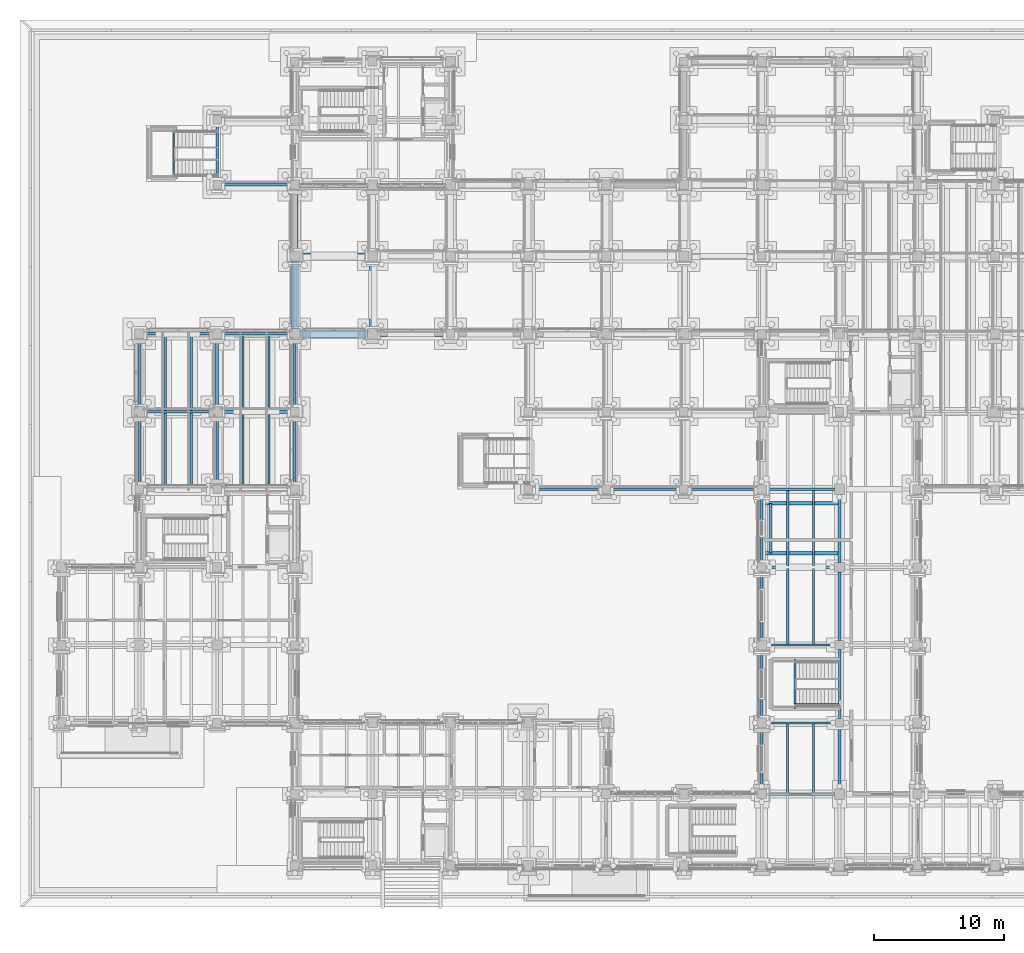
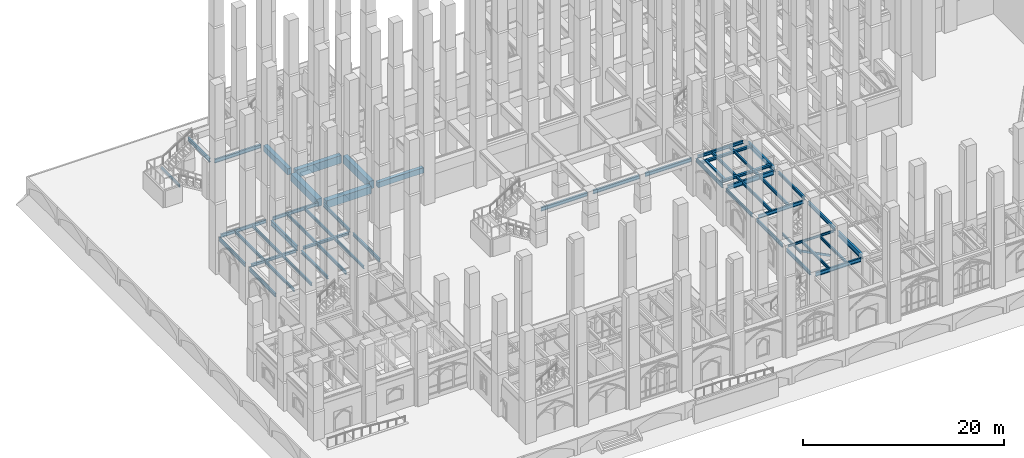
# One storey, part 30 of 135: 53 beams, 1 member.
"""IFC4 building model written with IfcOpenShell, lengths in metres."""

from ifc_helpers import new_model, si_unit, direction, frame, origin, origin_2d, place, context, subcontext, project, spatial, rectangle, hollow_rectangle, i_section, extrude, material, material_profile, profile_set, type_object, element, save


model = new_model("IFC4")

# Units and contexts
model_context = context("Model", 3, precision=1e-05, world=origin(), true_north=direction((0.0, 1.0)))
body_context = subcontext(model_context, "Body", "Model", "MODEL_VIEW")
ifc_project = project(units=[si_unit("LENGTHUNIT", "METRE"), si_unit("AREAUNIT", "SQUARE_METRE"), si_unit("VOLUMEUNIT", "CUBIC_METRE"), si_unit("PLANEANGLEUNIT", "RADIAN"), si_unit("MASSUNIT", "GRAM", prefix="KILO")], contexts=[model_context])

# Site, building, storey
site_placement = place(None, origin())
site = spatial("IfcSite", under=ifc_project, at=site_placement, CompositionType="ELEMENT")
building_placement = place(site_placement, origin())
building = spatial("IfcBuilding", under=site, at=building_placement, Name="Cumevento Cable Car Station", CompositionType="ELEMENT")
storey_placement = place(building_placement, origin())
storey = spatial("IfcBuildingStorey", under=building, at=storey_placement, Name="L01", CompositionType="ELEMENT", Elevation=0.0)

# Member
ifc_material_1 = material(Name="Steel ASTM A572 Grade 50", Category="steel")
ifc_material_profile_1 = material_profile(ifc_material_1, hollow_rectangle(XDim=0.14990234375, YDim=0.25, WallThickness=0.010009765625, at=origin_2d()), Name="HSS250x150x10.0")
ifc_profile_set_1 = profile_set([ifc_material_profile_1], Name="Steel ASTM A572 Grade 50")
member_type = type_object("IfcMemberType", Name="Framing Stringer SR-01 HSS250x150x10.0", PredefinedType="STRINGER", material=ifc_profile_set_1)
member_placement = place(storey_placement, frame((64.0400390625, 16.419921875, 0.139892578125), z_axis=(-0.889557422333, 0.0, 0.456823371087), x_axis=(0.0, -1.0, 0.0)))
element("IfcMember", 1, at=member_placement, inside=storey, type_object=member_type, Name="Stair Steel Stringer ST-09 #447", PredefinedType="STRINGER", context=body_context, shape_type="SweptSolid", body=[
    extrude(hollow_rectangle(XDim=0.14990234375, YDim=0.25, WallThickness=0.010009765625, at=origin_2d()), origin(), (0.0, 0.0, 1.0), 3.912109375),
])

# Beams
ifc_material_2 = material(Name="Steel ASTM A572 Grade 50", Category="steel")
ifc_material_profile_2 = material_profile(ifc_material_2, i_section(OverallWidth=0.22802734375, OverallDepth=0.60791015625, WebThickness=0.01123046875, FlangeThickness=0.017333984375, at=origin_2d()), Name="W610x113.0")
ifc_profile_set_2 = profile_set([ifc_material_profile_2], Name="Steel ASTM A572 Grade 50")
beam_type_1 = type_object("IfcBeamType", Name="Structural Beam BM-02 W610x113.0", PredefinedType="BEAM", material=ifc_profile_set_2)
beam_1_placement = place(storey_placement, frame((64.0, 9.89990234375, 3.947998046875), z_axis=(0.0, 1.0, 0.0), x_axis=(-1.0, 0.0, 0.0)))
element("IfcBeam", 2, at=beam_1_placement, inside=storey, type_object=beam_type_1, Name="Beam BM-02 L01 #67", PredefinedType="BEAM", context=body_context, shape_type="SweptSolid", body=[
    extrude(i_section(OverallWidth=0.22802734375, OverallDepth=0.60791015625, WebThickness=0.01123046875, FlangeThickness=0.017333984375, at=origin_2d()), origin(), (0.0, 0.0, 1.0), 4.775146484375),
])
for number, where, z_axis, x_axis, name in (
    (3, (64.0, 27.375, 3.947998046875), (0.0, 1.0, 0.0), (-1.0, 0.0, 0.0), "Beam BM-02 L01 #70"),
    (4, (16.0, 39.39990234375, 3.865966796875), (0.0, 1.0, 0.0), (-1.0, 0.0, 0.0), "Beam BM-02 L01 #121"),
):
    element("IfcBeam", number, at=place(storey_placement, frame(where, z_axis=z_axis, x_axis=x_axis)), inside=storey, type_object=beam_type_1, Name=name, PredefinedType="BEAM", context=body_context, shape_type="SweptSolid", body=[
        extrude(i_section(OverallWidth=0.22802734375, OverallDepth=0.60791015625, WebThickness=0.01123046875, FlangeThickness=0.017333984375, at=origin_2d()), origin(), (0.0, 0.0, 1.0), 5.22509765625),
    ])
ifc_material_3 = material(Name="Steel ASTM A572 Grade 50", Category="steel")
ifc_material_profile_3 = material_profile(ifc_material_3, i_section(OverallWidth=0.18994140625, OverallDepth=0.45703125, WebThickness=0.009033203125, FlangeThickness=0.014404296875, at=origin_2d()), Name="W460x74.0")
ifc_profile_set_3 = profile_set([ifc_material_profile_3], Name="Steel ASTM A572 Grade 50")
beam_type_2 = type_object("IfcBeamType", Name="Structural Beam BM-04 W460x74.0", PredefinedType="BEAM", material=ifc_profile_set_3)
beam_2_placement = place(storey_placement, frame((64.0, 15.324951171875, 4.0234375), z_axis=(0.0, 1.0, 0.0), x_axis=(-1.0, 0.0, 0.0)))
element("IfcBeam", 5, at=beam_2_placement, inside=storey, type_object=beam_type_2, Name="Beam BM-04 L01 #68", PredefinedType="BEAM", context=body_context, shape_type="SweptSolid", body=[
    extrude(i_section(OverallWidth=0.18994140625, OverallDepth=0.45703125, WebThickness=0.009033203125, FlangeThickness=0.014404296875, at=origin_2d()), origin(), (0.0, 0.0, 1.0), 5.324951171875),
])
for number, where, z_axis, x_axis, name in (
    (6, (40.324951171875, 33.0, 4.021484375), (1.0, 0.0, 0.0), (0.0, 1.0, 0.0), "Terrace Girder BM-04 #1"),
    (7, (46.324951171875, 33.0, 4.021484375), (1.0, 0.0, 0.0), (0.0, 1.0, 0.0), "Terrace Girder BM-04 #2"),
):
    element("IfcBeam", number, at=place(storey_placement, frame(where, z_axis=z_axis, x_axis=x_axis)), inside=storey, type_object=beam_type_2, Name=name, PredefinedType="BEAM", context=body_context, shape_type="SweptSolid", body=[
        extrude(i_section(OverallWidth=0.18994140625, OverallDepth=0.45703125, WebThickness=0.009033203125, FlangeThickness=0.014404296875, at=origin_2d()), origin(), (0.0, 0.0, 1.0), 5.35009765625),
    ])
for number, where, z_axis, x_axis, name in (
    (8, (52.324951171875, 33.0, 4.021484375), (1.0, 0.0, 0.0), (0.0, 1.0, 0.0), "Terrace Girder BM-04 #3"),
    (9, (16.324951171875, 56.5, 4.021484375), (1.0, 0.0, 0.0), (0.0, 1.0, 0.0), "Terrace Girder BM-04 #17"),
):
    element("IfcBeam", number, at=place(storey_placement, frame(where, z_axis=z_axis, x_axis=x_axis)), inside=storey, type_object=beam_type_2, Name=name, PredefinedType="BEAM", context=body_context, shape_type="SweptSolid", body=[
        extrude(i_section(OverallWidth=0.18994140625, OverallDepth=0.45703125, WebThickness=0.009033203125, FlangeThickness=0.014404296875, at=origin_2d()), origin(), (0.0, 0.0, 1.0), 5.324951171875),
    ])
beam_3_placement = place(storey_placement, frame((16.0, 56.824951171875, 4.021484375), z_axis=(0.0, 1.0, 0.0), x_axis=(-1.0, 0.0, 0.0)))
element("IfcBeam", 10, at=beam_3_placement, inside=storey, type_object=beam_type_2, Name="Terrace Cross-Girder BM-04 #19", PredefinedType="BEAM", context=body_context, shape_type="SweptSolid", body=[
    extrude(i_section(OverallWidth=0.18994140625, OverallDepth=0.45703125, WebThickness=0.009033203125, FlangeThickness=0.014404296875, at=origin_2d()), origin(), (0.0, 0.0, 1.0), 4.35009765625),
])
ifc_material_4 = material(Name="Steel ASTM A572 Grade 50", Category="steel")
ifc_material_profile_4 = material_profile(ifc_material_4, i_section(OverallWidth=0.205078125, OverallDepth=0.35400390625, WebThickness=0.009521484375, FlangeThickness=0.016845703125, at=origin_2d()), Name="W360x79.0")
ifc_profile_set_4 = profile_set([ifc_material_profile_4], Name="Steel ASTM A572 Grade 50")
beam_type_3 = type_object("IfcBeamType", Name="Structural Beam BM-05 W360x79.0", PredefinedType="BEAM", material=ifc_profile_set_4)
beam_4_placement = place(storey_placement, frame((58.35009765625, 33.0, 4.072998046875), z_axis=(1.0, 0.0, 0.0), x_axis=(0.0, 1.0, 0.0)))
element("IfcBeam", 11, at=beam_4_placement, inside=storey, type_object=beam_type_3, Name="Beam BM-05 L01 #58", PredefinedType="BEAM", context=body_context, shape_type="SweptSolid", body=[
    extrude(i_section(OverallWidth=0.205078125, OverallDepth=0.35400390625, WebThickness=0.009521484375, FlangeThickness=0.016845703125, at=origin_2d()), origin(), (0.0, 0.0, 1.0), 5.25),
])
beam_5_placement = place(storey_placement, frame((64.0, 21.35009765625, 4.074951171875), z_axis=(0.0, 1.0, 0.0), x_axis=(-1.0, 0.0, 0.0)))
element("IfcBeam", 12, at=beam_5_placement, inside=storey, type_object=beam_type_3, Name="Beam BM-05 L01 #69", PredefinedType="BEAM", context=body_context, shape_type="SweptSolid", body=[
    extrude(i_section(OverallWidth=0.205078125, OverallDepth=0.35400390625, WebThickness=0.009521484375, FlangeThickness=0.016845703125, at=origin_2d()), origin(), (0.0, 0.0, 1.0), 5.27490234375),
])
beam_6_placement = place(storey_placement, frame((10.39990234375, 39.0, 3.992919921875), z_axis=(1.0, 0.0, 0.0), x_axis=(0.0, 1.0, 0.0)))
element("IfcBeam", 13, at=beam_6_placement, inside=storey, type_object=beam_type_3, Name="Beam BM-05 L01 #114", PredefinedType="BEAM", context=body_context, shape_type="SweptSolid", body=[
    extrude(i_section(OverallWidth=0.205078125, OverallDepth=0.35400390625, WebThickness=0.009521484375, FlangeThickness=0.016845703125, at=origin_2d()), origin(), (0.0, 0.0, 1.0), 5.2001953125),
])
beam_7_placement = place(storey_placement, frame((16.0, 33.324951171875, 3.992919921875), z_axis=(0.0, 1.0, 0.0), x_axis=(-1.0, 0.0, 0.0)))
element("IfcBeam", 14, at=beam_7_placement, inside=storey, type_object=beam_type_3, Name="Beam BM-05 L01 #120", PredefinedType="BEAM", context=body_context, shape_type="SweptSolid", body=[
    extrude(i_section(OverallWidth=0.205078125, OverallDepth=0.35400390625, WebThickness=0.009521484375, FlangeThickness=0.016845703125, at=origin_2d()), origin(), (0.0, 0.0, 1.0), 5.275146484375),
])
ifc_material_5 = material(Name="Steel ASTM A572 Grade 50", Category="steel")
ifc_material_profile_5 = material_profile(ifc_material_5, i_section(OverallWidth=0.25390625, OverallDepth=0.305908203125, WebThickness=0.0087890625, FlangeThickness=0.0146484375, at=origin_2d()), Name="W310x79.0")
ifc_profile_set_5 = profile_set([ifc_material_profile_5], Name="Steel ASTM A572 Grade 50")
beam_type_4 = type_object("IfcBeamType", Name="Structural Beam BM-06 W310x79.0", PredefinedType="BEAM", material=ifc_profile_set_5)
beam_8_placement = place(storey_placement, frame((16.39990234375, 39.0, 4.01708984375), z_axis=(1.0, 0.0, 0.0), x_axis=(0.0, 1.0, 0.0)))
element("IfcBeam", 15, at=beam_8_placement, inside=storey, type_object=beam_type_4, Name="Beam BM-06 L01 #115", PredefinedType="BEAM", context=body_context, shape_type="SweptSolid", body=[
    extrude(i_section(OverallWidth=0.25390625, OverallDepth=0.305908203125, WebThickness=0.0087890625, FlangeThickness=0.0146484375, at=origin_2d()), origin(), (0.0, 0.0, 1.0), 5.275146484375),
])
for number, where, z_axis, x_axis, name in (
    (16, (58.050048828125, 28.076904296875, 4.09912109375), (1.0, 0.0, 0.0), (0.0, 1.0, 0.0), "Stairwell Curb Girder ST-10 #29"),
    (17, (58.050048828125, 31.923095703125, 4.09912109375), (1.0, 0.0, 0.0), (0.0, 1.0, 0.0), "Stairwell Curb Girder ST-10 #30"),
):
    element("IfcBeam", number, at=place(storey_placement, frame(where, z_axis=z_axis, x_axis=x_axis)), inside=storey, type_object=beam_type_4, Name=name, PredefinedType="BEAM", context=body_context, shape_type="SweptSolid", body=[
        extrude(i_section(OverallWidth=0.25390625, OverallDepth=0.305908203125, WebThickness=0.0087890625, FlangeThickness=0.0146484375, at=origin_2d()), origin(), (0.0, 0.0, 1.0), 5.89990234375),
    ])
beam_9_placement = place(storey_placement, frame((58.677001953125, 28.076904296875, 4.09912109375), z_axis=(0.0, 1.0, 0.0), x_axis=(-1.0, 0.0, 0.0)))
element("IfcBeam", 18, at=beam_9_placement, inside=storey, type_object=beam_type_4, Name="Stairwell Cross-Trimmer ST-10 #31", PredefinedType="BEAM", context=body_context, shape_type="SweptSolid", body=[
    extrude(i_section(OverallWidth=0.25390625, OverallDepth=0.305908203125, WebThickness=0.0087890625, FlangeThickness=0.0146484375, at=origin_2d()), origin(), (0.0, 0.0, 1.0), 3.84619140625),
])
ifc_material_6 = material(Name="Steel ASTM A572 Grade 50", Category="steel")
ifc_material_profile_6 = material_profile(ifc_material_6, i_section(OverallWidth=0.14794921875, OverallDepth=0.26611328125, WebThickness=0.007568359375, FlangeThickness=0.012939453125, at=origin_2d()), Name="W250x44.8")
ifc_profile_set_6 = profile_set([ifc_material_profile_6], Name="Steel ASTM A572 Grade 50")
beam_type_5 = type_object("IfcBeamType", Name="Structural Beam BM-07 W250x44.8", PredefinedType="BEAM", material=ifc_profile_set_6)
beam_10_placement = place(storey_placement, frame((58.375, 15.0, 4.118896484375), z_axis=(1.0, 0.0, 0.0), x_axis=(0.0, 1.0, 0.0)))
element("IfcBeam", 19, at=beam_10_placement, inside=storey, type_object=beam_type_5, Name="Beam BM-07 L01 #52", PredefinedType="BEAM", context=body_context, shape_type="SweptSolid", body=[
    extrude(i_section(OverallWidth=0.14794921875, OverallDepth=0.26611328125, WebThickness=0.007568359375, FlangeThickness=0.012939453125, at=origin_2d()), origin(), (0.0, 0.0, 1.0), 5.300048828125),
])
beam_11_placement = place(storey_placement, frame((60.56005859375, 16.1201171875, 1.89404296875), z_axis=(0.0, 1.0, 0.0), x_axis=(-1.0, 0.0, 0.0)))
element("IfcBeam", 20, at=beam_11_placement, inside=storey, type_object=beam_type_5, Name="Stair Half-Landing Trimmer ST-09", PredefinedType="BEAM", context=body_context, shape_type="SweptSolid", body=[
    extrude(i_section(OverallWidth=0.14794921875, OverallDepth=0.26611328125, WebThickness=0.007568359375, FlangeThickness=0.012939453125, at=origin_2d()), origin(), (0.0, 0.0, 1.0), 3.759765625),
])
beam_12_placement = place(storey_placement, frame((12.659912109375, 57.02001953125, 1.91796875), z_axis=(0.0, 1.0, 0.0), x_axis=(-1.0, 0.0, 0.0)))
element("IfcBeam", 21, at=beam_12_placement, inside=storey, type_object=beam_type_5, Name="Stair Half-Landing Trimmer ST-16", PredefinedType="BEAM", context=body_context, shape_type="SweptSolid", body=[
    extrude(i_section(OverallWidth=0.14794921875, OverallDepth=0.26611328125, WebThickness=0.007568359375, FlangeThickness=0.012939453125, at=origin_2d()), origin(), (0.0, 0.0, 1.0), 3.760009765625),
])
ifc_material_7 = material(Name="Steel ASTM A572 Grade 50", Category="steel")
ifc_material_profile_7 = material_profile(ifc_material_7, i_section(OverallWidth=0.179931640625, OverallDepth=0.4130859375, WebThickness=0.009765625, FlangeThickness=0.01611328125, at=origin_2d()), Name="W410x74.0")
ifc_profile_set_7 = profile_set([ifc_material_profile_7], Name="Steel ASTM A572 Grade 50")
beam_type_6 = type_object("IfcBeamType", Name="Structural Beam BM-09 W410x74.0", PredefinedType="BEAM", material=ifc_profile_set_7)
beam_13_placement = place(storey_placement, frame((58.39990234375, 21.0, 4.04541015625), z_axis=(1.0, 0.0, 0.0), x_axis=(0.0, 1.0, 0.0)))
element("IfcBeam", 22, at=beam_13_placement, inside=storey, type_object=beam_type_6, Name="Beam BM-09 L01 #54", PredefinedType="BEAM", context=body_context, shape_type="SweptSolid", body=[
    extrude(i_section(OverallWidth=0.179931640625, OverallDepth=0.4130859375, WebThickness=0.009765625, FlangeThickness=0.01611328125, at=origin_2d()), origin(), (0.0, 0.0, 1.0), 5.25),
])
ifc_material_8 = material(Name="Steel ASTM A572 Grade 50", Category="steel")
ifc_material_profile_8 = material_profile(ifc_material_8, i_section(OverallWidth=0.19189453125, OverallDepth=0.462890625, WebThickness=0.010498046875, FlangeThickness=0.017578125, at=origin_2d()), Name="W460x89.0")
ifc_profile_set_8 = profile_set([ifc_material_profile_8], Name="Steel ASTM A572 Grade 50")
beam_type_7 = type_object("IfcBeamType", Name="Structural Beam BM-10 W460x89.0", PredefinedType="BEAM", material=ifc_profile_set_8)
beam_14_placement = place(storey_placement, frame((58.35009765625, 9.5, 4.0205078125), z_axis=(1.0, 0.0, 0.0), x_axis=(0.0, 1.0, 0.0)))
element("IfcBeam", 23, at=beam_14_placement, inside=storey, type_object=beam_type_7, Name="Beam BM-10 L01 #31", PredefinedType="BEAM", context=body_context, shape_type="SweptSolid", body=[
    extrude(i_section(OverallWidth=0.19189453125, OverallDepth=0.462890625, WebThickness=0.010498046875, FlangeThickness=0.017578125, at=origin_2d()), origin(), (0.0, 0.0, 1.0), 5.25),
])
ifc_material_9 = material(Name="Steel ASTM A572 Grade 50", Category="steel")
ifc_material_profile_9 = material_profile(ifc_material_9, i_section(OverallWidth=0.2109375, OverallDepth=0.5390625, WebThickness=0.01171875, FlangeThickness=0.018798828125, at=origin_2d()), Name="W530x109.0")
ifc_profile_set_9 = profile_set([ifc_material_profile_9], Name="Steel ASTM A572 Grade 50")
beam_type_8 = type_object("IfcBeamType", Name="Structural Beam BM-11 W530x109.0", PredefinedType="BEAM", material=ifc_profile_set_9)
beam_15_placement = place(storey_placement, frame((58.324951171875, 27.0, 3.982421875), z_axis=(1.0, 0.0, 0.0), x_axis=(0.0, 1.0, 0.0)))
element("IfcBeam", 24, at=beam_15_placement, inside=storey, type_object=beam_type_8, Name="Beam BM-11 L01 #56", PredefinedType="BEAM", context=body_context, shape_type="SweptSolid", body=[
    extrude(i_section(OverallWidth=0.2109375, OverallDepth=0.5390625, WebThickness=0.01171875, FlangeThickness=0.018798828125, at=origin_2d()), origin(), (0.0, 0.0, 1.0), 5.300048828125),
])
ifc_material_10 = material(Name="Concrete C40/50", Category="concrete")
ifc_material_profile_10 = material_profile(ifc_material_10, rectangle(XDim=0.60009765625, YDim=0.89990234375, at=origin_2d()), Name="RC600x900")
ifc_profile_set_10 = profile_set([ifc_material_profile_10], Name="Concrete C40/50")
beam_type_9 = type_object("IfcBeamType", Name="Structural Beam TB-01 RC600x900", PredefinedType="BEAM", material=ifc_profile_set_10)
beam_16_placement = place(storey_placement, frame((22.39990234375, 45.0, 3.719970703125), z_axis=(1.0, 0.0, 0.0), x_axis=(0.0, 1.0, 0.0)))
element("IfcBeam", 25, at=beam_16_placement, inside=storey, type_object=beam_type_9, Name="Beam TB-01 L01 #124", PredefinedType="BEAM", context=body_context, shape_type="SweptSolid", body=[
    extrude(rectangle(XDim=0.60009765625, YDim=0.89990234375, at=origin_2d()), origin(), (0.0, 0.0, 1.0), 5.2001953125),
])
beam_17_placement = place(storey_placement, frame((22.0, 45.39990234375, 3.719970703125), z_axis=(0.0, 1.0, 0.0), x_axis=(-1.0, 0.0, 0.0)))
element("IfcBeam", 26, at=beam_17_placement, inside=storey, type_object=beam_type_9, Name="Beam TB-01 L01 #139", PredefinedType="BEAM", context=body_context, shape_type="SweptSolid", body=[
    extrude(rectangle(XDim=0.60009765625, YDim=0.89990234375, at=origin_2d()), origin(), (0.0, 0.0, 1.0), 5.22509765625),
])
ifc_material_11 = material(Name="Concrete C40/50", Category="concrete")
ifc_material_profile_11 = material_profile(ifc_material_11, rectangle(XDim=0.449951171875, YDim=0.75, at=origin_2d()), Name="RC450x750")
ifc_profile_set_11 = profile_set([ifc_material_profile_11], Name="Concrete C40/50")
beam_type_10 = type_object("IfcBeamType", Name="Structural Beam TB-02 RC450x750", PredefinedType="BEAM", material=ifc_profile_set_11)
beam_18_placement = place(storey_placement, frame((22.0, 51.375, 3.875), z_axis=(0.0, 1.0, 0.0), x_axis=(-1.0, 0.0, 0.0)))
element("IfcBeam", 27, at=beam_18_placement, inside=storey, type_object=beam_type_10, Name="Beam TB-02 L01 #140", PredefinedType="BEAM", context=body_context, shape_type="SweptSolid", body=[
    extrude(rectangle(XDim=0.449951171875, YDim=0.75, at=origin_2d()), origin(), (0.0, 0.0, 1.0), 4.77490234375),
])
ifc_material_12 = material(Name="Concrete C40/50", Category="concrete")
ifc_material_profile_12 = material_profile(ifc_material_12, rectangle(XDim=0.39990234375, YDim=0.64990234375, at=origin_2d()), Name="RC400x650")
ifc_profile_set_12 = profile_set([ifc_material_profile_12], Name="Concrete C40/50")
beam_type_11 = type_object("IfcBeamType", Name="Structural Beam TB-03 RC400x650", PredefinedType="BEAM", material=ifc_profile_set_12)
beam_19_placement = place(storey_placement, frame((28.39990234375, 45.0, 3.925048828125), z_axis=(1.0, 0.0, 0.0), x_axis=(0.0, 1.0, 0.0)))
element("IfcBeam", 28, at=beam_19_placement, inside=storey, type_object=beam_type_11, Name="Beam TB-03 L01 #125", PredefinedType="BEAM", context=body_context, shape_type="SweptSolid", body=[
    extrude(rectangle(XDim=0.39990234375, YDim=0.64990234375, at=origin_2d()), origin(), (0.0, 0.0, 1.0), 5.275146484375),
])
ifc_material_13 = material(Name="Concrete C40/50", Category="concrete")
ifc_material_profile_13 = material_profile(ifc_material_13, rectangle(XDim=0.5, YDim=0.949951171875, at=origin_2d()), Name="RC500x950")
ifc_profile_set_13 = profile_set([ifc_material_profile_13], Name="Concrete C40/50")
beam_type_12 = type_object("IfcBeamType", Name="Structural Beam TB-04 RC500x950", PredefinedType="BEAM", material=ifc_profile_set_13)
beam_20_placement = place(storey_placement, frame((22.375, 51.0, 3.77490234375), z_axis=(1.0, 0.0, 0.0), x_axis=(0.0, 1.0, 0.0)))
element("IfcBeam", 29, at=beam_20_placement, inside=storey, type_object=beam_type_12, Name="Beam TB-04 L01 #129", PredefinedType="BEAM", context=body_context, shape_type="SweptSolid", body=[
    extrude(rectangle(XDim=0.5, YDim=0.949951171875, at=origin_2d()), origin(), (0.0, 0.0, 1.0), 5.25),
])
beam_21_placement = place(storey_placement, frame((28.0, 45.39990234375, 3.77490234375), z_axis=(0.0, 1.0, 0.0), x_axis=(-1.0, 0.0, 0.0)))
element("IfcBeam", 30, at=beam_21_placement, inside=storey, type_object=beam_type_12, Name="Beam TB-04 L01 #141", PredefinedType="BEAM", context=body_context, shape_type="SweptSolid", body=[
    extrude(rectangle(XDim=0.5, YDim=0.949951171875, at=origin_2d()), origin(), (0.0, 0.0, 1.0), 5.22509765625),
])
ifc_material_14 = material(Name="Steel ASTM A572 Grade 50", Category="steel")
ifc_material_profile_14 = material_profile(ifc_material_14, i_section(OverallWidth=0.1708984375, OverallDepth=0.35498046875, WebThickness=0.007080078125, FlangeThickness=0.01171875, at=origin_2d()), Name="W360x51.0")
ifc_profile_set_14 = profile_set([ifc_material_profile_14], Name="Steel ASTM A572 Grade 50")
beam_type_13 = type_object("IfcBeamType", Name="Structural Joist JS-01 W360x51.0", PredefinedType="JOIST", material=ifc_profile_set_14)
beam_22_placement = place(storey_placement, frame((60.0, 21.077880859375, 4.074462890625), z_axis=(0.0, 1.0, 0.0), x_axis=(-1.0, 0.0, 0.0)))
element("IfcBeam", 31, at=beam_22_placement, inside=storey, type_object=beam_type_13, Name="Composite Floor Joist JS-01 L01 #336", PredefinedType="JOIST", context=body_context, shape_type="SweptSolid", body=[
    extrude(i_section(OverallWidth=0.1708984375, OverallDepth=0.35498046875, WebThickness=0.007080078125, FlangeThickness=0.01171875, at=origin_2d()), origin(), (0.0, 0.0, 1.0), 5.82861328125),
])
beam_23_placement = place(storey_placement, frame((60.0, 27.093505859375, 4.074462890625), z_axis=(0.0, 1.0, 0.0), x_axis=(-1.0, 0.0, 0.0)))
element("IfcBeam", 32, at=beam_23_placement, inside=storey, type_object=beam_type_13, Name="Composite Floor Joist JS-01 L01 #337", PredefinedType="JOIST", context=body_context, shape_type="SweptSolid", body=[
    extrude(i_section(OverallWidth=0.1708984375, OverallDepth=0.35498046875, WebThickness=0.007080078125, FlangeThickness=0.01171875, at=origin_2d()), origin(), (0.0, 0.0, 1.0), 5.81591796875),
])
beam_24_placement = place(storey_placement, frame((62.0, 21.077880859375, 4.074462890625), z_axis=(0.0, 1.0, 0.0), x_axis=(-1.0, 0.0, 0.0)))
element("IfcBeam", 33, at=beam_24_placement, inside=storey, type_object=beam_type_13, Name="Composite Floor Joist JS-01 L01 #340", PredefinedType="JOIST", context=body_context, shape_type="SweptSolid", body=[
    extrude(i_section(OverallWidth=0.1708984375, OverallDepth=0.35498046875, WebThickness=0.007080078125, FlangeThickness=0.01171875, at=origin_2d()), origin(), (0.0, 0.0, 1.0), 5.82861328125),
])
beam_25_placement = place(storey_placement, frame((62.0, 27.093505859375, 4.074462890625), z_axis=(0.0, 1.0, 0.0), x_axis=(-1.0, 0.0, 0.0)))
element("IfcBeam", 34, at=beam_25_placement, inside=storey, type_object=beam_type_13, Name="Composite Floor Joist JS-01 L01 #341", PredefinedType="JOIST", context=body_context, shape_type="SweptSolid", body=[
    extrude(i_section(OverallWidth=0.1708984375, OverallDepth=0.35498046875, WebThickness=0.007080078125, FlangeThickness=0.01171875, at=origin_2d()), origin(), (0.0, 0.0, 1.0), 5.81591796875),
])
beam_26_placement = place(storey_placement, frame((12.0, 33.089599609375, 3.992431640625), z_axis=(0.0, 1.0, 0.0), x_axis=(-1.0, 0.0, 0.0)))
element("IfcBeam", 35, at=beam_26_placement, inside=storey, type_object=beam_type_13, Name="Composite Floor Joist JS-01 L01 #375", PredefinedType="JOIST", context=body_context, shape_type="SweptSolid", body=[
    extrude(i_section(OverallWidth=0.1708984375, OverallDepth=0.35498046875, WebThickness=0.007080078125, FlangeThickness=0.01171875, at=origin_2d()), origin(), (0.0, 0.0, 1.0), 5.81982421875),
])
beam_27_placement = place(storey_placement, frame((12.0, 39.090576171875, 3.992431640625), z_axis=(0.0, 1.0, 0.0), x_axis=(-1.0, 0.0, 0.0)))
element("IfcBeam", 36, at=beam_27_placement, inside=storey, type_object=beam_type_13, Name="Composite Floor Joist JS-01 L01 #376", PredefinedType="JOIST", context=body_context, shape_type="SweptSolid", body=[
    extrude(i_section(OverallWidth=0.1708984375, OverallDepth=0.35498046875, WebThickness=0.007080078125, FlangeThickness=0.01171875, at=origin_2d()), origin(), (0.0, 0.0, 1.0), 5.83251953125),
])
beam_28_placement = place(storey_placement, frame((14.0, 33.089599609375, 3.992431640625), z_axis=(0.0, 1.0, 0.0), x_axis=(-1.0, 0.0, 0.0)))
element("IfcBeam", 37, at=beam_28_placement, inside=storey, type_object=beam_type_13, Name="Composite Floor Joist JS-01 L01 #377", PredefinedType="JOIST", context=body_context, shape_type="SweptSolid", body=[
    extrude(i_section(OverallWidth=0.1708984375, OverallDepth=0.35498046875, WebThickness=0.007080078125, FlangeThickness=0.01171875, at=origin_2d()), origin(), (0.0, 0.0, 1.0), 5.81982421875),
])
beam_29_placement = place(storey_placement, frame((14.0, 39.090576171875, 3.992431640625), z_axis=(0.0, 1.0, 0.0), x_axis=(-1.0, 0.0, 0.0)))
element("IfcBeam", 38, at=beam_29_placement, inside=storey, type_object=beam_type_13, Name="Composite Floor Joist JS-01 L01 #378", PredefinedType="JOIST", context=body_context, shape_type="SweptSolid", body=[
    extrude(i_section(OverallWidth=0.1708984375, OverallDepth=0.35498046875, WebThickness=0.007080078125, FlangeThickness=0.01171875, at=origin_2d()), origin(), (0.0, 0.0, 1.0), 5.83251953125),
])
beam_30_placement = place(storey_placement, frame((18.0, 33.077880859375, 3.992431640625), z_axis=(0.0, 1.0, 0.0), x_axis=(-1.0, 0.0, 0.0)))
element("IfcBeam", 39, at=beam_30_placement, inside=storey, type_object=beam_type_13, Name="Composite Floor Joist JS-01 L01 #379", PredefinedType="JOIST", context=body_context, shape_type="SweptSolid", body=[
    extrude(i_section(OverallWidth=0.1708984375, OverallDepth=0.35498046875, WebThickness=0.007080078125, FlangeThickness=0.01171875, at=origin_2d()), origin(), (0.0, 0.0, 1.0), 5.80712890625),
])
beam_31_placement = place(storey_placement, frame((18.0, 39.114990234375, 3.992431640625), z_axis=(0.0, 1.0, 0.0), x_axis=(-1.0, 0.0, 0.0)))
element("IfcBeam", 40, at=beam_31_placement, inside=storey, type_object=beam_type_13, Name="Composite Floor Joist JS-01 L01 #380", PredefinedType="JOIST", context=body_context, shape_type="SweptSolid", body=[
    extrude(i_section(OverallWidth=0.1708984375, OverallDepth=0.35498046875, WebThickness=0.007080078125, FlangeThickness=0.01171875, at=origin_2d()), origin(), (0.0, 0.0, 1.0), 5.80810546875),
])
beam_32_placement = place(storey_placement, frame((20.0, 33.077880859375, 3.992431640625), z_axis=(0.0, 1.0, 0.0), x_axis=(-1.0, 0.0, 0.0)))
element("IfcBeam", 41, at=beam_32_placement, inside=storey, type_object=beam_type_13, Name="Composite Floor Joist JS-01 L01 #381", PredefinedType="JOIST", context=body_context, shape_type="SweptSolid", body=[
    extrude(i_section(OverallWidth=0.1708984375, OverallDepth=0.35498046875, WebThickness=0.007080078125, FlangeThickness=0.01171875, at=origin_2d()), origin(), (0.0, 0.0, 1.0), 5.80712890625),
])
beam_33_placement = place(storey_placement, frame((20.0, 39.114990234375, 3.992431640625), z_axis=(0.0, 1.0, 0.0), x_axis=(-1.0, 0.0, 0.0)))
element("IfcBeam", 42, at=beam_33_placement, inside=storey, type_object=beam_type_13, Name="Composite Floor Joist JS-01 L01 #382", PredefinedType="JOIST", context=body_context, shape_type="SweptSolid", body=[
    extrude(i_section(OverallWidth=0.1708984375, OverallDepth=0.35498046875, WebThickness=0.007080078125, FlangeThickness=0.01171875, at=origin_2d()), origin(), (0.0, 0.0, 1.0), 5.80810546875),
])
ifc_material_15 = material(Name="Steel ASTM A572 Grade 50", Category="steel")
ifc_material_profile_15 = material_profile(ifc_material_15, i_section(OverallWidth=0.1669921875, OverallDepth=0.31689453125, WebThickness=0.007568359375, FlangeThickness=0.01318359375, at=origin_2d()), Name="W310x52.0")
ifc_profile_set_15 = profile_set([ifc_material_profile_15], Name="Steel ASTM A572 Grade 50")
beam_type_14 = type_object("IfcBeamType", Name="Structural Joist JS-02 W310x52.0", PredefinedType="JOIST", material=ifc_profile_set_15)
for number, where, z_axis, x_axis, name in (
    (43, (60.0, 9.583984375, 4.093505859375), (0.0, 1.0, 0.0), (-1.0, 0.0, 0.0), "Composite Floor Joist JS-02 L01 #335"),
    (44, (62.0, 9.583984375, 4.093505859375), (0.0, 1.0, 0.0), (-1.0, 0.0, 0.0), "Composite Floor Joist JS-02 L01 #339"),
):
    element("IfcBeam", number, at=place(storey_placement, frame(where, z_axis=z_axis, x_axis=x_axis)), inside=storey, type_object=beam_type_14, Name=name, PredefinedType="JOIST", context=body_context, shape_type="SweptSolid", body=[
        extrude(i_section(OverallWidth=0.1669921875, OverallDepth=0.31689453125, WebThickness=0.007568359375, FlangeThickness=0.01318359375, at=origin_2d()), origin(), (0.0, 0.0, 1.0), 5.35400390625),
    ])
ifc_material_16 = material(Name="Steel ASTM A572 Grade 50", Category="steel")
ifc_material_profile_16 = material_profile(ifc_material_16, i_section(OverallWidth=0.177978515625, OverallDepth=0.406982421875, WebThickness=0.0078125, FlangeThickness=0.0126953125, at=origin_2d()), Name="W410x60.0")
ifc_profile_set_16 = profile_set([ifc_material_profile_16], Name="Steel ASTM A572 Grade 50")
beam_type_15 = type_object("IfcBeamType", Name="Structural Spandrel SP-01 W410x60.0", PredefinedType="SPANDREL", material=ifc_profile_set_16)
beam_34_placement = place(storey_placement, frame((58.0, 9.85009765625, 4.048583984375), z_axis=(0.0, 1.0, 0.0), x_axis=(-1.0, 0.0, 0.0)))
element("IfcBeam", 45, at=beam_34_placement, inside=storey, type_object=beam_type_15, Name="Beam SP-01 L01 #62", PredefinedType="SPANDREL", context=body_context, shape_type="SweptSolid", body=[
    extrude(i_section(OverallWidth=0.177978515625, OverallDepth=0.406982421875, WebThickness=0.0078125, FlangeThickness=0.0126953125, at=origin_2d()), origin(), (0.0, 0.0, 1.0), 4.77490234375),
])
beam_35_placement = place(storey_placement, frame((58.0, 15.375, 4.048583984375), z_axis=(0.0, 1.0, 0.0), x_axis=(-1.0, 0.0, 0.0)))
element("IfcBeam", 46, at=beam_35_placement, inside=storey, type_object=beam_type_15, Name="Beam SP-01 L01 #63", PredefinedType="SPANDREL", context=body_context, shape_type="SweptSolid", body=[
    extrude(i_section(OverallWidth=0.177978515625, OverallDepth=0.406982421875, WebThickness=0.0078125, FlangeThickness=0.0126953125, at=origin_2d()), origin(), (0.0, 0.0, 1.0), 5.22509765625),
])
beam_36_placement = place(storey_placement, frame((58.0, 21.39990234375, 4.048583984375), z_axis=(0.0, 1.0, 0.0), x_axis=(-1.0, 0.0, 0.0)))
element("IfcBeam", 47, at=beam_36_placement, inside=storey, type_object=beam_type_15, Name="Beam SP-01 L01 #64", PredefinedType="SPANDREL", context=body_context, shape_type="SweptSolid", body=[
    extrude(i_section(OverallWidth=0.177978515625, OverallDepth=0.406982421875, WebThickness=0.0078125, FlangeThickness=0.0126953125, at=origin_2d()), origin(), (0.0, 0.0, 1.0), 5.275146484375),
])
beam_37_placement = place(storey_placement, frame((58.0, 27.324951171875, 4.04638671875), z_axis=(0.0, 1.0, 0.0), x_axis=(-1.0, 0.0, 0.0)))
element("IfcBeam", 48, at=beam_37_placement, inside=storey, type_object=beam_type_15, Name="Beam SP-01 L01 #65", PredefinedType="SPANDREL", context=body_context, shape_type="SweptSolid", body=[
    extrude(i_section(OverallWidth=0.177978515625, OverallDepth=0.406982421875, WebThickness=0.0078125, FlangeThickness=0.0126953125, at=origin_2d()), origin(), (0.0, 0.0, 1.0), 5.324951171875),
])
beam_38_placement = place(storey_placement, frame((10.375, 45.0, 3.966552734375), z_axis=(1.0, 0.0, 0.0), x_axis=(0.0, 1.0, 0.0)))
element("IfcBeam", 49, at=beam_38_placement, inside=storey, type_object=beam_type_15, Name="Beam SP-01 L01 #116", PredefinedType="SPANDREL", context=body_context, shape_type="SweptSolid", body=[
    extrude(i_section(OverallWidth=0.177978515625, OverallDepth=0.406982421875, WebThickness=0.0078125, FlangeThickness=0.0126953125, at=origin_2d()), origin(), (0.0, 0.0, 1.0), 5.25),
])
beam_39_placement = place(storey_placement, frame((16.375, 45.0, 3.966552734375), z_axis=(1.0, 0.0, 0.0), x_axis=(0.0, 1.0, 0.0)))
element("IfcBeam", 50, at=beam_39_placement, inside=storey, type_object=beam_type_15, Name="Beam SP-01 L01 #117", PredefinedType="SPANDREL", context=body_context, shape_type="SweptSolid", body=[
    extrude(i_section(OverallWidth=0.177978515625, OverallDepth=0.406982421875, WebThickness=0.0078125, FlangeThickness=0.0126953125, at=origin_2d()), origin(), (0.0, 0.0, 1.0), 5.22509765625),
])
beam_40_placement = place(storey_placement, frame((10.0, 33.324951171875, 3.966552734375), z_axis=(0.0, 1.0, 0.0), x_axis=(-1.0, 0.0, 0.0)))
element("IfcBeam", 51, at=beam_40_placement, inside=storey, type_object=beam_type_15, Name="Beam SP-01 L01 #118", PredefinedType="SPANDREL", context=body_context, shape_type="SweptSolid", body=[
    extrude(i_section(OverallWidth=0.177978515625, OverallDepth=0.406982421875, WebThickness=0.0078125, FlangeThickness=0.0126953125, at=origin_2d()), origin(), (0.0, 0.0, 1.0), 5.275146484375),
])
beam_41_placement = place(storey_placement, frame((10.0, 39.39990234375, 3.966552734375), z_axis=(0.0, 1.0, 0.0), x_axis=(-1.0, 0.0, 0.0)))
element("IfcBeam", 52, at=beam_41_placement, inside=storey, type_object=beam_type_15, Name="Beam SP-01 L01 #119", PredefinedType="SPANDREL", context=body_context, shape_type="SweptSolid", body=[
    extrude(i_section(OverallWidth=0.177978515625, OverallDepth=0.406982421875, WebThickness=0.0078125, FlangeThickness=0.0126953125, at=origin_2d()), origin(), (0.0, 0.0, 1.0), 5.22509765625),
])
beam_42_placement = place(storey_placement, frame((22.0, 33.35009765625, 3.966552734375), z_axis=(0.0, 1.0, 0.0), x_axis=(-1.0, 0.0, 0.0)))
element("IfcBeam", 53, at=beam_42_placement, inside=storey, type_object=beam_type_15, Name="Beam SP-01 L01 #122", PredefinedType="SPANDREL", context=body_context, shape_type="SweptSolid", body=[
    extrude(i_section(OverallWidth=0.177978515625, OverallDepth=0.406982421875, WebThickness=0.0078125, FlangeThickness=0.0126953125, at=origin_2d()), origin(), (0.0, 0.0, 1.0), 5.324951171875),
])
beam_43_placement = place(storey_placement, frame((22.0, 39.324951171875, 3.966552734375), z_axis=(0.0, 1.0, 0.0), x_axis=(-1.0, 0.0, 0.0)))
element("IfcBeam", 54, at=beam_43_placement, inside=storey, type_object=beam_type_15, Name="Beam SP-01 L01 #123", PredefinedType="SPANDREL", context=body_context, shape_type="SweptSolid", body=[
    extrude(i_section(OverallWidth=0.177978515625, OverallDepth=0.406982421875, WebThickness=0.0078125, FlangeThickness=0.0126953125, at=origin_2d()), origin(), (0.0, 0.0, 1.0), 5.275146484375),
])

save(model, "model.ifc")
